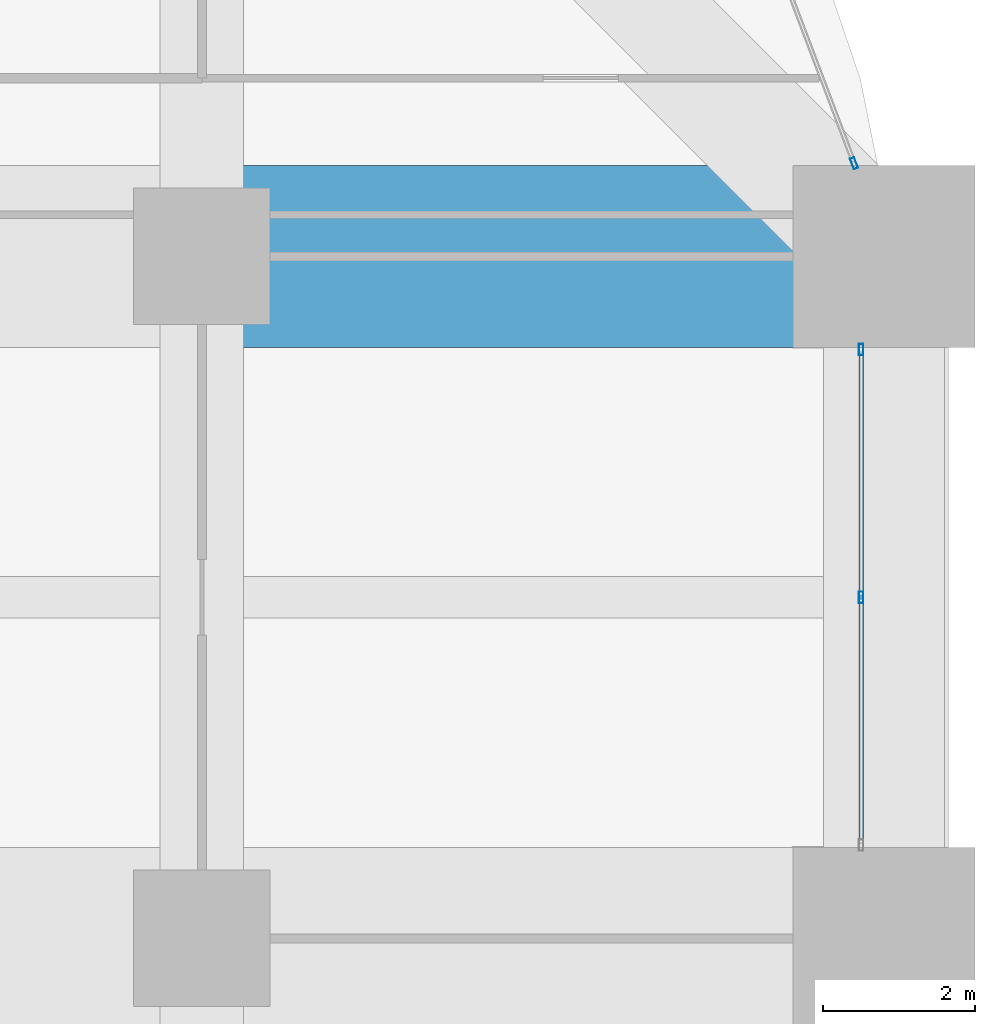
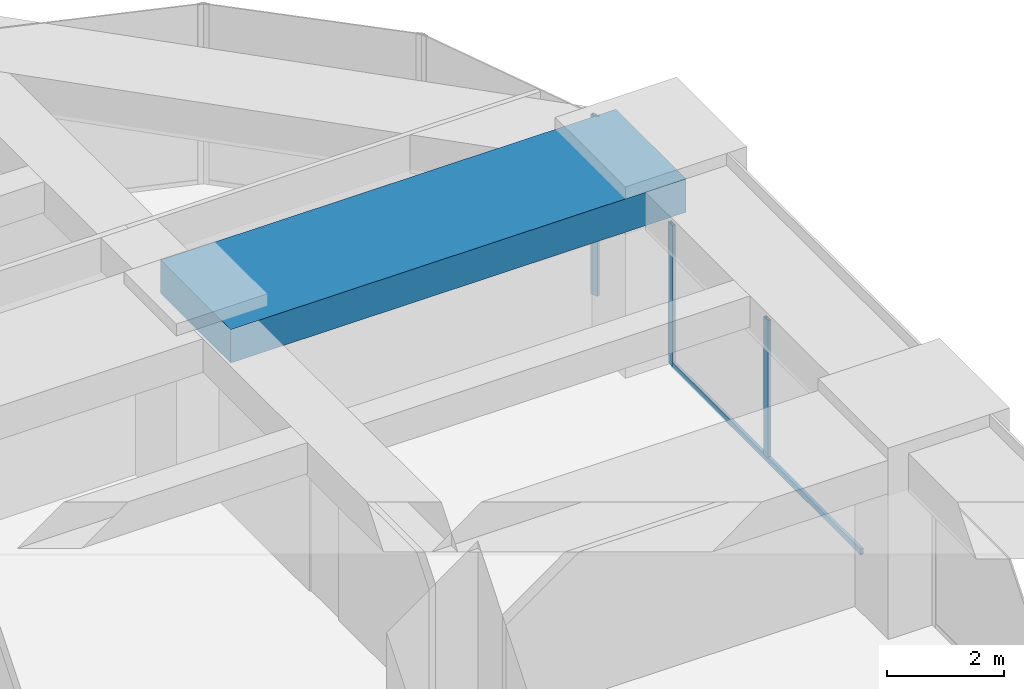
# One storey, part 33 of 43: 4 members, 1 beam, 2 elements without a shape of their own.
"""IFC4 building model written with IfcOpenShell, lengths in metres."""

from ifc_helpers import new_model, si_unit, direction, frame, origin, origin_2d, place, context, subcontext, project, spatial, rectangle, hollow_rectangle, extrude, material, material_profile, profile_set, type_object, element, aggregate, save


model = new_model("IFC4")

# Units and contexts
model_context = context("Model", 3, precision=1e-05, world=origin(), true_north=direction((0.0, 1.0)))
body_context = subcontext(model_context, "Body", "Model", "MODEL_VIEW")
ifc_project = project(units=[si_unit("LENGTHUNIT", "METRE"), si_unit("AREAUNIT", "SQUARE_METRE"), si_unit("VOLUMEUNIT", "CUBIC_METRE"), si_unit("PLANEANGLEUNIT", "RADIAN"), si_unit("MASSUNIT", "GRAM", prefix="KILO")], contexts=[model_context])

# Site, building, storey
site_placement = place(None, origin())
site = spatial("IfcSite", under=ifc_project, at=site_placement, CompositionType="ELEMENT")
building_placement = place(site_placement, origin())
building = spatial("IfcBuilding", under=site, at=building_placement, Name="Zorevar Civic Tower", CompositionType="ELEMENT")
storey_placement = place(building_placement, frame((0.0, 0.0, 141.0)))
storey = spatial("IfcBuildingStorey", under=building, at=storey_placement, Name="L34", CompositionType="ELEMENT", Elevation=141.0)

# Beam
ifc_material_1 = material(Name="Concrete C50/60", Category="concrete")
ifc_material_profile_1 = material_profile(ifc_material_1, rectangle(XDim=2.39990234375, YDim=0.699951171875, at=origin_2d()), Name="RC 2400x700")
ifc_profile_set_1 = profile_set([ifc_material_profile_1], Name="Concrete C50/60")
beam_type = type_object("IfcBeamType", Name="Beam RC 2400x700", PredefinedType="BEAM", material=ifc_profile_set_1)
beam_placement = place(storey_placement, frame((54.0, 36.0, 3.39990234375), z_axis=(1.0, 0.0, 0.0), x_axis=(0.0, 1.0, 0.0)))
element("IfcBeam", 1, at=beam_placement, inside=storey, type_object=beam_type, Name="Girder L35", PredefinedType="BEAM", context=body_context, shape_type="SweptSolid", body=[
    extrude(rectangle(XDim=2.39990234375, YDim=0.699951171875, at=origin_2d()), origin(), (0.0, 0.0, 1.0), 9.0),
])

# Curtain wall, members
ifc_material_2 = material(Name="Dark grey solar-control glass in black aluminium frame", Category="aluminium")
curtain_wall_type = type_object("IfcCurtainWallType", Name="Curtain wall CW3 mid zone", PredefinedType="NOTDEFINED", material=ifc_material_2)
curtain_wall_1_placement = place(storey_placement, origin())
curtain_wall_1 = element("IfcCurtainWall", 2, at=curtain_wall_1_placement, inside=storey, type_object=curtain_wall_type, Name="CW3 L34", PredefinedType="NOTDEFINED")
ifc_material_3 = material(Name="Aluminium, black anodised", Category="aluminium")
ifc_material_profile_2 = material_profile(ifc_material_3, hollow_rectangle(XDim=0.06005859375, YDim=0.14990234375, WallThickness=0.00390625, at=origin_2d()), Name="AL 150x60x4")
ifc_profile_set_2 = profile_set([ifc_material_profile_2], Name="Aluminium, black anodised")
member_type_1 = type_object("IfcMemberType", Name="CW3 mullion AL 150x60x4", PredefinedType="MULLION", material=ifc_profile_set_2)
member_1_placement = place(storey_placement, frame((62.699951171875, 31.5, 0.06005859375), z_axis=(0.0, 0.0, 1.0), x_axis=(-1.0, 0.0, 0.0)))
member_1 = element("IfcMember", 3, at=member_1_placement, type_object=member_type_1, Name="CW3 mullion 2", PredefinedType="MULLION", context=body_context, shape_type="SweptSolid", body=[
    extrude(hollow_rectangle(XDim=0.06005859375, YDim=0.14990234375, WallThickness=0.00390625, at=origin_2d()), origin(), (0.0, 0.0, 1.0), 2.889892578125),
])
member_2_placement = place(storey_placement, frame((62.699951171875, 34.77001953125, 0.0), z_axis=(0.0, 0.0, 1.0), x_axis=(-1.0, 0.0, 0.0)))
member_2 = element("IfcMember", 4, at=member_2_placement, type_object=member_type_1, Name="CW3 mullion 3", PredefinedType="MULLION", context=body_context, shape_type="SweptSolid", body=[
    extrude(hollow_rectangle(XDim=0.06005859375, YDim=0.14990234375, WallThickness=0.00390625, at=origin_2d()), origin(), (0.0, 0.0, 1.0), 2.949951171875),
])

# Curtain wall, member
curtain_wall_2_placement = place(storey_placement, origin())
curtain_wall_2 = element("IfcCurtainWall", 5, at=curtain_wall_2_placement, inside=storey, type_object=curtain_wall_type, Name="CW3 L34", PredefinedType="NOTDEFINED")
member_3_placement = place(storey_placement, frame((62.606201171875, 37.22802734375, 0.0), z_axis=(0.0, 0.0, 1.0), x_axis=(-0.935276561184, -0.353917722218, 0.0)))
member_3 = element("IfcMember", 6, at=member_3_placement, type_object=member_type_1, Name="CW3 mullion 1", PredefinedType="MULLION", context=body_context, shape_type="SweptSolid", body=[
    extrude(hollow_rectangle(XDim=0.06005859375, YDim=0.14990234375, WallThickness=0.00390625, at=origin_2d()), origin(), (0.0, 0.0, 1.0), 3.75),
])
aggregate(curtain_wall_2, [member_3])

# Member
ifc_material_4 = material(Name="Aluminium, black anodised", Category="aluminium")
ifc_material_profile_3 = material_profile(ifc_material_4, hollow_rectangle(XDim=0.06005859375, YDim=0.1201171875, WallThickness=0.0029296875, at=origin_2d()), Name="AL 120x60x3")
ifc_profile_set_3 = profile_set([ifc_material_profile_3], Name="Aluminium, black anodised")
member_type_2 = type_object("IfcMemberType", Name="CW3 transom AL 120x60x3", PredefinedType="USERDEFINED", material=ifc_profile_set_3)
member_4_placement = place(storey_placement, frame((62.699951171875, 28.260009765625, 0.030029296875), z_axis=(0.0, 1.0, 0.0), x_axis=(-1.0, 0.0, 0.0)))
member_4 = element("IfcMember", 7, at=member_4_placement, type_object=member_type_2, Name="CW3 sill transom", ObjectType="TRANSOM", PredefinedType="USERDEFINED", context=body_context, shape_type="SweptSolid", body=[
    extrude(hollow_rectangle(XDim=0.06005859375, YDim=0.1201171875, WallThickness=0.0029296875, at=origin_2d()), origin(), (0.0, 0.0, 1.0), 6.47998046875),
])

aggregate(curtain_wall_1, [member_1, member_2, member_4])

save(model, "model.ifc")
